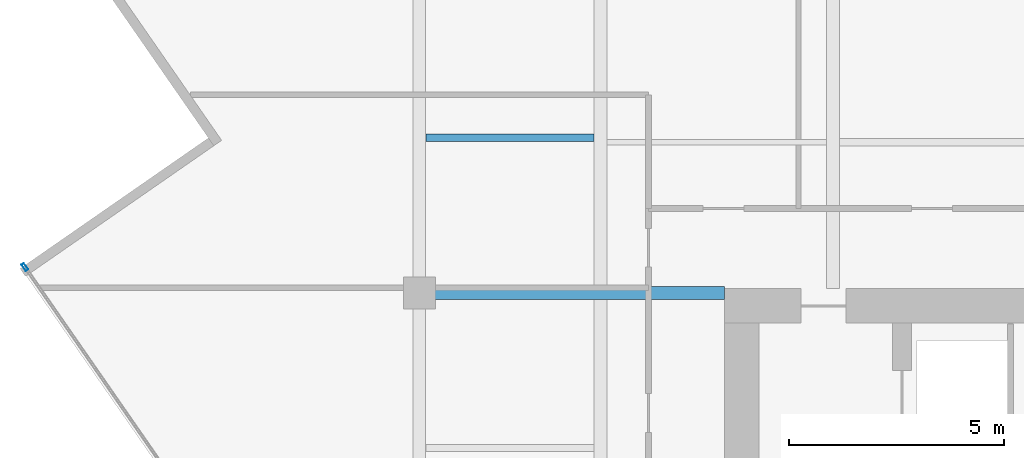
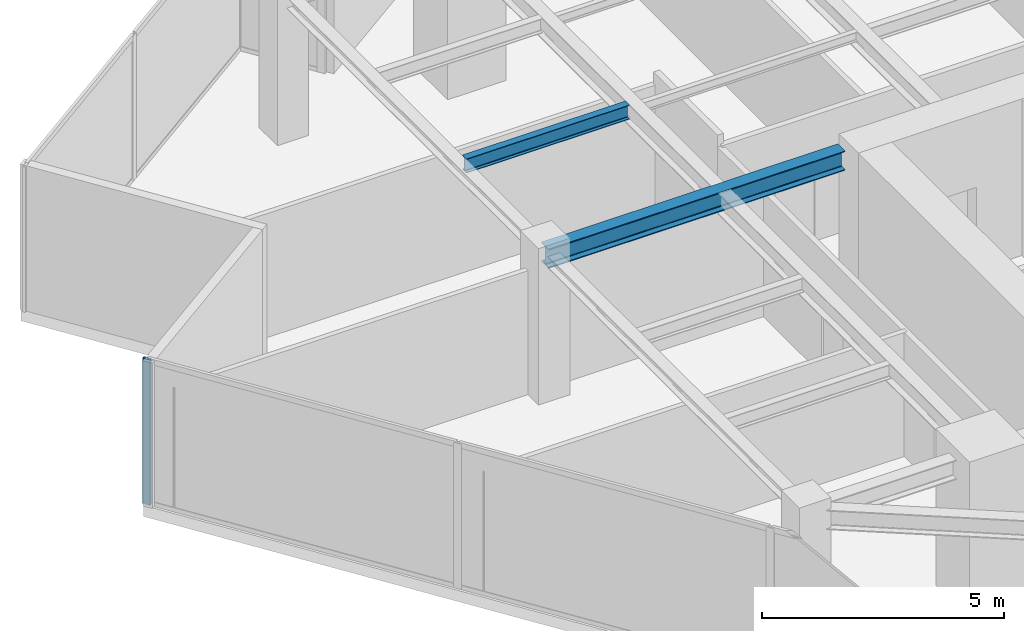
# One storey, part 6 of 21: 2 beams, 1 member, 1 element without a shape of its own.
"""IFC4 building model written with IfcOpenShell, lengths in metres."""

from ifc_helpers import new_model, si_unit, direction, frame, origin, origin_2d, place, context, subcontext, project, spatial, hollow_rectangle, i_section, extrude, source, transform, mapped, material, material_profile, profile_set, type_object, type_shapes, element, aggregate, save


model = new_model("IFC4")

# Units and contexts
model_context = context("Model", 3, precision=1e-05, world=origin(), true_north=direction((0.0, 1.0)))
body_context = subcontext(model_context, "Body", "Model", "MODEL_VIEW")
ifc_project = project(units=[si_unit("LENGTHUNIT", "METRE"), si_unit("AREAUNIT", "SQUARE_METRE"), si_unit("VOLUMEUNIT", "CUBIC_METRE"), si_unit("PLANEANGLEUNIT", "RADIAN"), si_unit("MASSUNIT", "GRAM", prefix="KILO")], contexts=[model_context])

# Site, building, storey
site_placement = place(None, origin())
site = spatial("IfcSite", under=ifc_project, at=site_placement, CompositionType="ELEMENT")
building_placement = place(site_placement, origin())
building = spatial("IfcBuilding", under=site, at=building_placement, Name="Krantzveldt Concourse Tower", CompositionType="ELEMENT")
storey_placement = place(building_placement, frame((0.0, 0.0, 271.35009765625)))
storey = spatial("IfcBuildingStorey", under=building, at=storey_placement, Name="L66", CompositionType="ELEMENT", Elevation=271.35009765625)

# Beams
ifc_material_1 = material(Name="Steel S355JR", Category="steel")
ifc_material_profile_1 = material_profile(ifc_material_1, i_section(OverallWidth=0.300048828125, OverallDepth=0.489990234375, WebThickness=0.011962890625, FlangeThickness=0.02294921875, FilletRadius=0.027099609375, at=origin_2d()), Name="Steel S355JR", Category="steel")
ifc_profile_set_1 = profile_set([ifc_material_profile_1], Name="Steel S355JR - HEA 500")
beam_type_1 = type_object("IfcBeamType", Name="BM-B-HEA500", PredefinedType="BEAM", material=ifc_profile_set_1)
shared_shape_1 = source(origin(), body_context, "Body", "SweptSolid", [
    extrude(i_section(OverallWidth=0.300048828125, OverallDepth=0.489990234375, WebThickness=0.011962890625, FlangeThickness=0.02294921875, FilletRadius=0.027099609375, at=origin_2d()), origin(), (0.0, 0.0, 1.0), 7.080078125),
])
type_shapes(beam_type_1, [shared_shape_1])
beam_1_placement = place(storey_placement, frame((21.0, 26.699951171875, 3.4248046875), z_axis=(1.0, 0.0, 0.0), x_axis=(0.0, 1.0, 0.0)))
element("IfcBeam", 1, at=beam_1_placement, inside=storey, type_object=beam_type_1, Name="L66 Tower Girder BG-CW2", PredefinedType="BEAM", context=body_context, shape_type="MappedRepresentation", body=[
    mapped(shared_shape_1, transform((0.0, 0.0, 0.0), x_axis=(1.0, 0.0, 0.0), y_axis=(0.0, 1.0, 0.0), z_axis=(0.0, 0.0, 1.0), scale=1.0)),
])
ifc_material_profile_2 = material_profile(ifc_material_1, i_section(OverallWidth=0.169921875, OverallDepth=0.360107421875, WebThickness=0.008056640625, FlangeThickness=0.0126953125, FilletRadius=0.01806640625, at=origin_2d()), Name="Steel S355JR", Category="steel")
ifc_profile_set_2 = profile_set([ifc_material_profile_2], Name="Steel S355JR - IPE 360")
beam_type_2 = type_object("IfcBeamType", Name="BM-J-IPE360", PredefinedType="JOIST", material=ifc_profile_set_2)
shared_shape_2 = source(origin(), body_context, "Body", "SweptSolid", [
    extrude(i_section(OverallWidth=0.169921875, OverallDepth=0.360107421875, WebThickness=0.008056640625, FlangeThickness=0.0126953125, FilletRadius=0.01806640625, at=origin_2d()), origin(), (0.0, 0.0, 1.0), 3.900146484375),
])
type_shapes(beam_type_2, [shared_shape_2])
beam_2_placement = place(storey_placement, frame((21.14990234375, 30.300048828125, 3.489990234375), z_axis=(1.0, 0.0, 0.0), x_axis=(0.0, 1.0, 0.0)))
element("IfcBeam", 2, at=beam_2_placement, inside=storey, type_object=beam_type_2, Name="L66 Secondary Floor Joist JW-3", PredefinedType="JOIST", context=body_context, shape_type="MappedRepresentation", body=[
    mapped(shared_shape_2, transform((0.0, 0.0, 0.0), x_axis=(1.0, 0.0, 0.0), y_axis=(0.0, 1.0, 0.0), z_axis=(0.0, 0.0, 1.0), scale=1.0)),
])

# Curtain wall, member
ifc_material_2 = material(Name="Anodised aluminium 6063-T6", Category="aluminium")
curtain_wall_type = type_object("IfcCurtainWallType", Name="CW4", PredefinedType="USERDEFINED", material=ifc_material_2)
curtain_wall_placement = place(storey_placement, origin())
curtain_wall = element("IfcCurtainWall", 3, at=curtain_wall_placement, inside=storey, type_object=curtain_wall_type, Name="CW-L66-F08", ObjectType="UNITISED CURTAIN WALL", PredefinedType="USERDEFINED")
ifc_material_profile_3 = material_profile(ifc_material_2, hollow_rectangle(XDim=0.070068359375, YDim=0.179931640625, WallThickness=0.0048828125, at=origin_2d()), Name="Anodised aluminium 6063-T6", Category="aluminium")
ifc_profile_set_3 = profile_set([ifc_material_profile_3], Name="Anodised aluminium 6063-T6 - ALU-MULL 180x70x5")
member_type = type_object("IfcMemberType", Name="CW-MUL-180", PredefinedType="MULLION", material=ifc_profile_set_3)
shared_shape_3 = source(origin(), body_context, "Body", "SweptSolid", [
    extrude(hollow_rectangle(XDim=0.070068359375, YDim=0.179931640625, WallThickness=0.0048828125, at=origin_2d()), origin(), (0.0, 0.0, 1.0), 3.669921875),
])
type_shapes(member_type, [shared_shape_3])
member_placement = place(storey_placement, frame((11.838623046875, 27.300048828125, 0.0), z_axis=(0.0, 0.0, 1.0), x_axis=(0.821647031735, 0.569996627395, 0.0)))
member = element("IfcMember", 4, at=member_placement, type_object=member_type, Name="CW-Z56 mullion 1", PredefinedType="MULLION", context=body_context, shape_type="MappedRepresentation", body=[
    mapped(shared_shape_3, transform((0.0, 0.0, 0.0), x_axis=(1.0, 0.0, 0.0), y_axis=(0.0, 1.0, 0.0), z_axis=(0.0, 0.0, 1.0), scale=1.0)),
])
aggregate(curtain_wall, [member])

save(model, "model.ifc")
